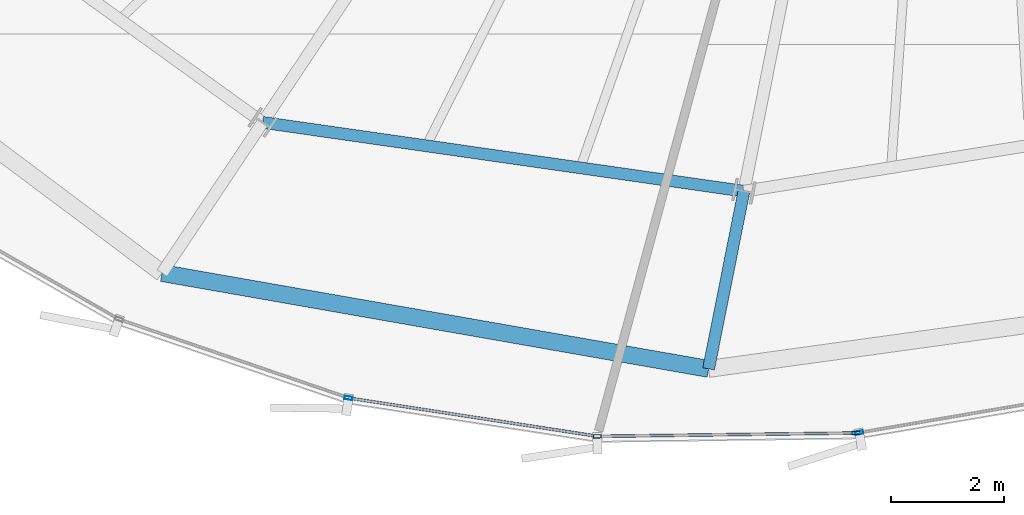
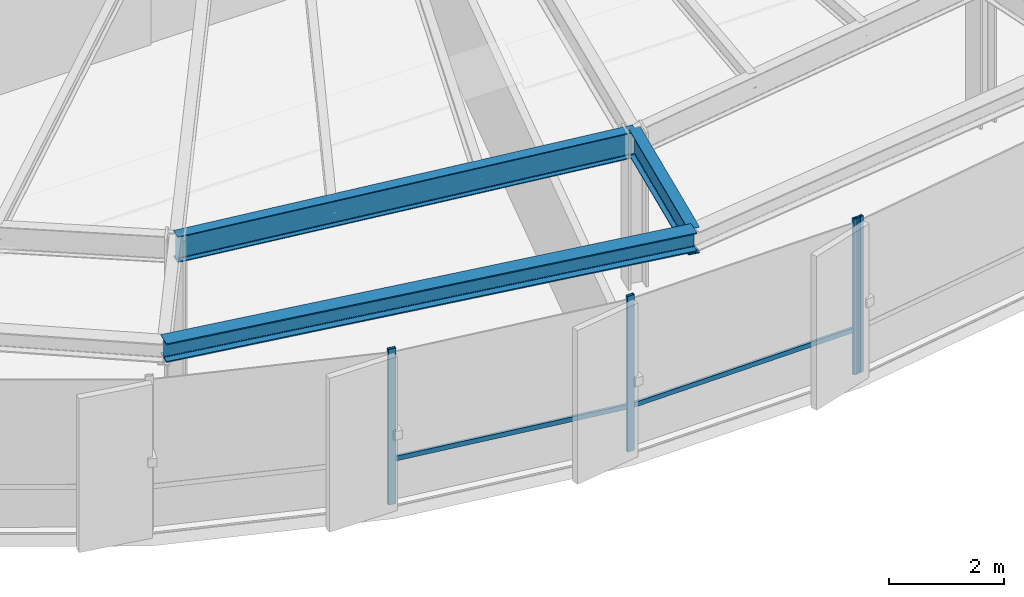
# One storey, part 5 of 32: 6 members, 3 beams, 2 elements without a shape of their own.
"""IFC4 building model written with IfcOpenShell, lengths in metres."""

from ifc_helpers import new_model, si_unit, direction, frame, origin, origin_2d, place, context, subcontext, project, spatial, hollow_rectangle, i_section, extrude, source, transform, mapped, material, layer, layer_set, material_profile, profile_set, type_object, element, aggregate, save


model = new_model("IFC4")

# Units and contexts
model_context = context("Model", 3, precision=1e-05, world=origin(), true_north=direction((0.0, 1.0)))
body_context = subcontext(model_context, "Body", "Model", "MODEL_VIEW")
ifc_project = project(units=[si_unit("LENGTHUNIT", "METRE"), si_unit("AREAUNIT", "SQUARE_METRE"), si_unit("VOLUMEUNIT", "CUBIC_METRE"), si_unit("PLANEANGLEUNIT", "RADIAN"), si_unit("MASSUNIT", "GRAM", prefix="KILO"), si_unit("THERMODYNAMICTEMPERATUREUNIT", "KELVIN")], contexts=[model_context])

# Site, building, storey
site_placement = place(None, origin())
site = spatial("IfcSite", under=ifc_project, at=site_placement, CompositionType="ELEMENT")
building_placement = place(site_placement, origin())
building = spatial("IfcBuilding", under=site, at=building_placement, Name="Kethvar Cultural Tower", CompositionType="ELEMENT")
storey_placement = place(building_placement, frame((0.0, 0.0, 157.199951171875)))
storey = spatial("IfcBuildingStorey", under=building, at=storey_placement, Name="L40", CompositionType="ELEMENT", Elevation=157.199951171875)

# Beams
ifc_material_1 = material(Name="Steel S355J2", Category="steel")
ifc_material_profile_1 = material_profile(ifc_material_1, i_section(OverallWidth=0.2099609375, OverallDepth=0.550048828125, WebThickness=0.010986328125, FlangeThickness=0.01708984375, FilletRadius=0.02392578125, at=origin_2d()), Name="Steel S355J2 — IPE550")
ifc_profile_set_1 = profile_set([ifc_material_profile_1], Name="Steel S355J2 — IPE550")
beam_type_1 = type_object("IfcBeamType", Name="BM-IPE550", PredefinedType="BEAM", material=ifc_profile_set_1)
shared_shape_1 = source(origin(), body_context, "Body", "SweptSolid", [
    extrude(i_section(OverallWidth=0.2099609375, OverallDepth=0.550048828125, WebThickness=0.010986328125, FlangeThickness=0.01708984375, FilletRadius=0.02392578125, at=origin_2d()), origin(), (0.0, 0.0, 1.0), 3.2001953125),
])
beam_1_placement = place(storey_placement, frame((42.852294921875, 7.95361328125, 3.02294921875), z_axis=(-0.195074368086, -0.980788453702, 0.0), x_axis=(0.980788453702, -0.195074368086, 0.0)))
element("IfcBeam", 1, at=beam_1_placement, inside=storey, type_object=beam_type_1, Name="L40 Perimeter Cantilever Beam RC-12", PredefinedType="BEAM", context=body_context, shape_type="MappedRepresentation", body=[
    mapped(shared_shape_1, transform((0.0, 0.0, 0.0), scale=1.0)),
])
shared_shape_2 = source(origin(), body_context, "Body", "SweptSolid", [
    extrude(i_section(OverallWidth=0.2099609375, OverallDepth=0.550048828125, WebThickness=0.010986328125, FlangeThickness=0.01708984375, FilletRadius=0.02392578125, at=origin_2d()), origin(), (0.0, 0.0, 1.0), 8.587890625),
])
beam_2_placement = place(storey_placement, frame((34.350830078125, 9.16845703125, 3.02294921875), z_axis=(0.989943807123, -0.141461156288, 0.0), x_axis=(0.141461156288, 0.989943807123, 0.0)))
element("IfcBeam", 2, at=beam_2_placement, inside=storey, type_object=beam_type_1, Name="L40 Column Ring Tie Beam CR-11", PredefinedType="BEAM", context=body_context, shape_type="MappedRepresentation", body=[
    mapped(shared_shape_2, transform((0.0, 0.0, 0.0), scale=1.0)),
])
ifc_material_profile_2 = material_profile(ifc_material_1, i_section(OverallWidth=0.300048828125, OverallDepth=0.39990234375, WebThickness=0.013427734375, FlangeThickness=0.02392578125, FilletRadius=0.027099609375, at=origin_2d()), Name="Steel S355J2 — HEB400")
ifc_profile_set_2 = profile_set([ifc_material_profile_2], Name="Steel S355J2 — HEB400")
beam_type_2 = type_object("IfcBeamType", Name="BM-SP400", PredefinedType="SPANDREL", material=ifc_profile_set_2)
shared_shape_3 = source(origin(), body_context, "Body", "SweptSolid", [
    extrude(i_section(OverallWidth=0.300048828125, OverallDepth=0.39990234375, WebThickness=0.013427734375, FlangeThickness=0.02392578125, FilletRadius=0.027099609375, at=origin_2d()), origin(), (0.0, 0.0, 1.0), 9.80224609375),
])
beam_3_placement = place(storey_placement, frame((32.572998046875, 6.5078125, 3.09814453125), z_axis=(0.984974273513, -0.172701130618, 0.0), x_axis=(0.172701130618, 0.984974273513, 0.0)))
element("IfcBeam", 3, at=beam_3_placement, inside=storey, type_object=beam_type_2, Name="L40 Perimeter Spandrel Beam SP-11", PredefinedType="SPANDREL", context=body_context, shape_type="MappedRepresentation", body=[
    mapped(shared_shape_3, transform((0.0, 0.0, 0.0), scale=1.0)),
])

# Curtain wall, members
ifc_material_2 = material(Name="Aluminium 6063-T6", Category="aluminium")
ifc_layer = layer(ifc_material_2, 0.179931640625, Name="Aluminium 6063-T6", Category="aluminium")
ifc_layer_set = layer_set([ifc_layer], Name="Aluminium 6063-T6 (180 mm)")
curtain_wall_type = type_object("IfcCurtainWallType", Name="CW-SYS-04-Z34", PredefinedType="NOTDEFINED", material=ifc_layer_set)
curtain_wall_1_placement = place(storey_placement, origin())
curtain_wall_1 = element("IfcCurtainWall", 4, at=curtain_wall_1_placement, inside=storey, type_object=curtain_wall_type, Name="L40 Curtain Wall Run 04", PredefinedType="NOTDEFINED")
ifc_material_profile_3 = material_profile(ifc_material_2, hollow_rectangle(XDim=0.06005859375, YDim=0.139892578125, WallThickness=0.0048828125, at=origin_2d()), Name="Aluminium 6063-T6 — RHS140x60x5")
ifc_profile_set_3 = profile_set([ifc_material_profile_3], Name="Aluminium 6063-T6 — RHS140x60x5")
member_type_1 = type_object("IfcMemberType", Name="CW-SYS-04-Z34-MUL", PredefinedType="MULLION", material=ifc_profile_set_3)
shared_shape_4 = source(origin(), body_context, "Body", "SweptSolid", [
    extrude(hollow_rectangle(XDim=0.06005859375, YDim=0.139892578125, WallThickness=0.0048828125, at=origin_2d()), origin(), (0.0, 0.0, 1.0), 3.300048828125),
])
member_1_placement = place(storey_placement, frame((35.86962890625, 4.30029296875, 0.0), z_axis=(0.0, 0.0, 1.0), x_axis=(0.152019884381, 0.988377435372, 0.0)))
member_1 = element("IfcMember", 5, at=member_1_placement, type_object=member_type_1, Name="CW-L40-R04 Mullion 5", PredefinedType="MULLION", context=body_context, shape_type="MappedRepresentation", body=[
    mapped(shared_shape_4, transform((0.0, 0.0, 0.0), scale=1.0)),
])
member_2_placement = place(storey_placement, frame((40.260498046875, 3.62353515625, 0.0), z_axis=(0.0, 0.0, 1.0), x_axis=(-0.012984884716, 0.999915692831, 0.0)))
member_2 = element("IfcMember", 6, at=member_2_placement, type_object=member_type_1, Name="CW-L40-R04 Mullion 6", PredefinedType="MULLION", context=body_context, shape_type="MappedRepresentation", body=[
    mapped(shared_shape_4, transform((0.0, 0.0, 0.0), scale=1.0)),
])
member_3_placement = place(storey_placement, frame((44.8291015625, 3.682861328125, 0.0), z_axis=(0.0, 0.0, 1.0), x_axis=(-0.012984884716, 0.999915692831, 0.0)))
member_3 = element("IfcMember", 7, at=member_3_placement, type_object=member_type_1, Name="CW-L40-R04 Mullion 7", PredefinedType="MULLION", context=body_context, shape_type="MappedRepresentation", body=[
    mapped(shared_shape_4, transform((0.0, 0.0, 0.0), scale=1.0)),
])

# Curtain wall, member
curtain_wall_2_placement = place(storey_placement, origin())
curtain_wall_2 = element("IfcCurtainWall", 8, at=curtain_wall_2_placement, inside=storey, type_object=curtain_wall_type, Name="L40 Curtain Wall Run 05", PredefinedType="NOTDEFINED")
member_4_placement = place(storey_placement, frame((44.889404296875, 3.688232421875, 0.0), z_axis=(0.0, 0.0, 1.0), x_axis=(-0.168145293887, 0.985762222924, 0.0)))
member_4 = element("IfcMember", 9, at=member_4_placement, type_object=member_type_1, Name="CW-L40-R05 Mullion 1", PredefinedType="MULLION", context=body_context, shape_type="MappedRepresentation", body=[
    mapped(shared_shape_4, transform((0.0, 0.0, 0.0), scale=1.0)),
])
aggregate(curtain_wall_2, [member_4])

# Member
ifc_material_profile_4 = material_profile(ifc_material_2, hollow_rectangle(XDim=0.050048828125, YDim=0.10009765625, WallThickness=0.00390625, at=origin_2d()), Name="Aluminium 6063-T6 — RHS100x50x4")
ifc_profile_set_4 = profile_set([ifc_material_profile_4], Name="Aluminium 6063-T6 — RHS100x50x4")
member_type_2 = type_object("IfcMemberType", Name="CW-SYS-04-Z34-TRN", PredefinedType="USERDEFINED", material=ifc_profile_set_4)
shared_shape_5 = source(origin(), body_context, "Body", "SweptSolid", [
    extrude(hollow_rectangle(XDim=0.050048828125, YDim=0.10009765625, WallThickness=0.00390625, at=origin_2d()), origin(), (0.0, 0.0, 1.0), 4.374267578125),
])
member_5_placement = place(storey_placement, frame((35.912353515625, 4.293701171875, 0.949951171875), z_axis=(0.988383953836, -0.151977497673, 0.0), x_axis=(0.151977497673, 0.988383953836, 0.0)))
member_5 = element("IfcMember", 10, at=member_5_placement, type_object=member_type_2, Name="CW-L40-R04 Transom 5", ObjectType="TRANSOM", PredefinedType="USERDEFINED", context=body_context, shape_type="MappedRepresentation", body=[
    mapped(shared_shape_5, transform((0.0, 0.0, 0.0), scale=1.0)),
])

shared_shape_6 = source(origin(), body_context, "Body", "SweptSolid", [
    extrude(hollow_rectangle(XDim=0.050048828125, YDim=0.10009765625, WallThickness=0.00390625, at=origin_2d()), origin(), (0.0, 0.0, 1.0), 4.521484375),
])
member_6_placement = place(storey_placement, frame((40.3037109375, 3.6240234375, 0.949951171875), z_axis=(0.999916025076, 0.012959274545, 0.0), x_axis=(-0.012959274545, 0.999916025076, 0.0)))
member_6 = element("IfcMember", 11, at=member_6_placement, type_object=member_type_2, Name="CW-L40-R04 Transom 6", ObjectType="TRANSOM", PredefinedType="USERDEFINED", context=body_context, shape_type="MappedRepresentation", body=[
    mapped(shared_shape_6, transform((0.0, 0.0, 0.0), scale=1.0)),
])

aggregate(curtain_wall_1, [member_1, member_2, member_3, member_5, member_6])

save(model, "model.ifc")
